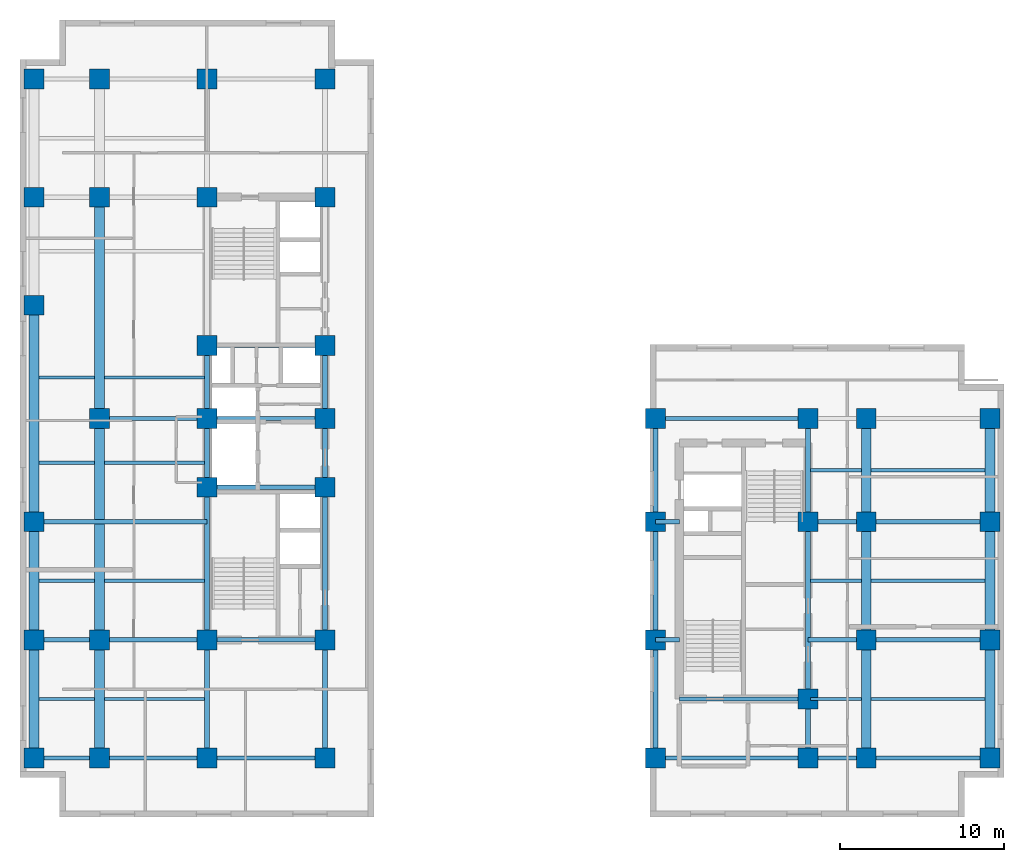
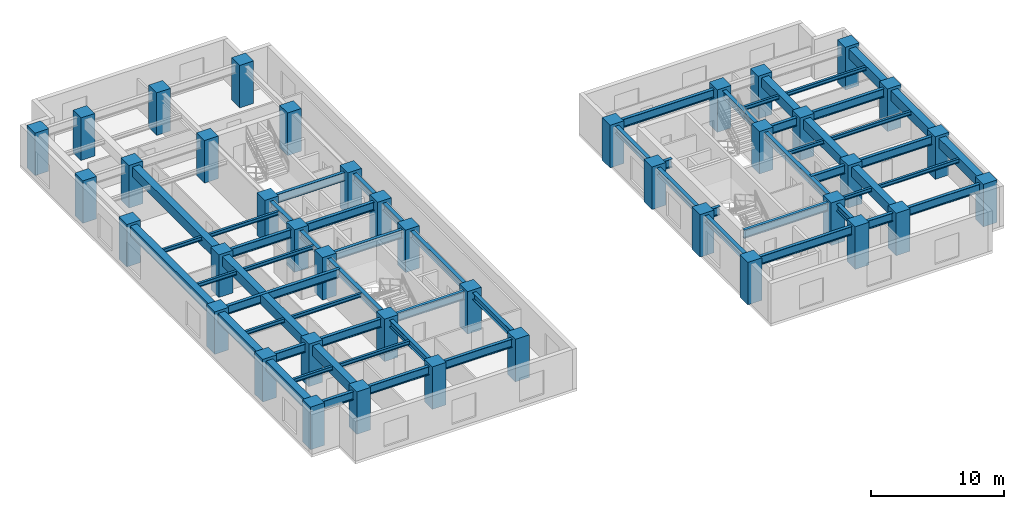
# One storey, part 1 of 9: 62 beams, 41 columns.
"""IFC4 building model written with IfcOpenShell, lengths in metres."""

from ifc_helpers import new_model, entity, si_unit, converted_unit, direction, frame, origin_with_axes, origin_2d_with_axis, place, context, subcontext, project, spatial, rectangle, i_section, extrude, material, material_profile, profile_set, type_object, element, save


model = new_model("IFC4")

# Units and contexts
model_context = context("Model", 3, precision=1e-05, world=origin_with_axes(), true_north=direction((0.0, 1.0)))
body_context = subcontext(model_context, "Body", "Model", "MODEL_VIEW")
ifc_project = project(units=[si_unit("LENGTHUNIT", "METRE"), si_unit("AREAUNIT", "SQUARE_METRE"), si_unit("VOLUMEUNIT", "CUBIC_METRE"), converted_unit("PLANEANGLEUNIT", "DEGREE", entity("IfcPlaneAngleMeasure", 0.017453292519943295), si_unit("PLANEANGLEUNIT", "RADIAN"), dimensions=[0, 0, 0, 0, 0, 0, 0]), si_unit("MASSUNIT", "GRAM", prefix="KILO"), si_unit("THERMODYNAMICTEMPERATUREUNIT", "KELVIN")], contexts=[model_context])

# Site, building, storey
site_placement = place(None, origin_with_axes())
site = spatial("IfcSite", under=ifc_project, at=site_placement, CompositionType="ELEMENT")
building_placement = place(site_placement, origin_with_axes())
building = spatial("IfcBuilding", under=site, at=building_placement, Name="Varnlund Millrace Tower", CompositionType="ELEMENT")
storey_placement = place(building_placement, frame((0.0, 0.0, 96.9), z_axis=(0.0, 0.0, 1.0), x_axis=(1.0, 0.0, 0.0)))
storey = spatial("IfcBuildingStorey", under=building, at=storey_placement, Name="L23", CompositionType="ELEMENT", Elevation=96.9)

# Columns
ifc_material_1 = material(Name="Concrete C80/95", Category="concrete")
ifc_material_profile_1 = material_profile(ifc_material_1, rectangle(XDim=1.2, YDim=1.2, at=origin_2d_with_axis()), Name="Concrete C80/95")
ifc_profile_set_1 = profile_set([ifc_material_profile_1], Name="Concrete C80/95")
column_type = type_object("IfcColumnType", Name="Type-Col-RC1200-C80", PredefinedType="COLUMN", material=ifc_profile_set_1)
for number, where, z_axis, x_axis, name in (
    (1, (11.4, 3.6, 0.0), (0.0, 0.0, 1.0), (1.0, 0.0, 0.0), "Type-Col-RC1200-C80"),
    (2, (11.4, 10.8, 0.0), (0.0, 0.0, 1.0), (1.0, 0.0, 0.0), "Type-Col-RC1200-C80"),
    (3, (11.4, 20.1, 0.0), (0.0, 0.0, 1.0), (1.0, 0.0, 0.0), "Type-Col-RC1200-C80"),
    (4, (11.4, 24.3, 0.0), (0.0, 0.0, 1.0), (1.0, 0.0, 0.0), "Type-Col-RC1200-C80"),
    (5, (11.4, 28.75, 0.0), (0.0, 0.0, 1.0), (1.0, 0.0, 0.0), "Type-Col-RC1200-C80"),
    (6, (11.4, 37.8, 0.0), (0.0, 0.0, 1.0), (1.0, 0.0, 0.0), "Type-Col-RC1200-C80"),
    (7, (11.4, 45.0, 0.0), (0.0, 0.0, 1.0), (1.0, 0.0, 0.0), "Type-Col-RC1200-C80"),
    (8, (18.6, 3.6, 0.0), (0.0, 0.0, 1.0), (1.0, 0.0, 0.0), "Type-Col-RC1200-C80"),
    (9, (18.6, 10.8, 0.0), (0.0, 0.0, 1.0), (1.0, 0.0, 0.0), "Type-Col-RC1200-C80"),
    (10, (18.6, 20.1, 0.0), (0.0, 0.0, 1.0), (1.0, 0.0, 0.0), "Type-Col-RC1200-C80"),
    (11, (18.6, 24.3, 0.0), (0.0, 0.0, 1.0), (1.0, 0.0, 0.0), "Type-Col-RC1200-C80"),
    (12, (18.6, 28.75, 0.0), (0.0, 0.0, 1.0), (1.0, 0.0, 0.0), "Type-Col-RC1200-C80"),
    (13, (18.6, 37.8, 0.0), (0.0, 0.0, 1.0), (1.0, 0.0, 0.0), "Type-Col-RC1200-C80"),
    (14, (18.6, 45.0, 0.0), (0.0, 0.0, 1.0), (1.0, 0.0, 0.0), "Type-Col-RC1200-C80"),
    (15, (4.85, 3.6, 0.0), (0.0, 0.0, 1.0), (1.0, 0.0, 0.0), "Type-Col-RC1200-C80"),
    (16, (4.85, 10.8, 0.0), (0.0, 0.0, 1.0), (1.0, 0.0, 0.0), "Type-Col-RC1200-C80"),
    (17, (4.85, 24.3, 0.0), (0.0, 0.0, 1.0), (1.0, 0.0, 0.0), "Type-Col-RC1200-C80"),
    (18, (4.85, 37.8, 0.0), (0.0, 0.0, 1.0), (1.0, 0.0, 0.0), "Type-Col-RC1200-C80"),
    (19, (4.85, 45.0, 0.0), (0.0, 0.0, 1.0), (1.0, 0.0, 0.0), "Type-Col-RC1200-C80"),
    (20, (0.85, 3.6, 0.0), (0.0, 0.0, 1.0), (1.0, 0.0, 0.0), "Type-Col-RC1200-C80"),
    (21, (0.85, 10.8, 0.0), (0.0, 0.0, 1.0), (1.0, 0.0, 0.0), "Type-Col-RC1200-C80"),
    (22, (0.85, 18.0, 0.0), (0.0, 0.0, 1.0), (1.0, 0.0, 0.0), "Type-Col-RC1200-C80"),
    (23, (0.85, 31.2, 0.0), (0.0, 0.0, 1.0), (1.0, 0.0, 0.0), "Type-Col-RC1200-C80"),
    (24, (0.85, 37.8, 0.0), (0.0, 0.0, 1.0), (1.0, 0.0, 0.0), "Type-Col-RC1200-C80"),
    (25, (0.85, 45.0, 0.0), (0.0, 0.0, 1.0), (1.0, 0.0, 0.0), "Type-Col-RC1200-C80"),
    (26, (38.75, 3.6, 0.0), (0.0, 0.0, 1.0), (1.0, 0.0, 0.0), "Type-Col-RC1200-C80"),
    (27, (38.75, 10.8, 0.0), (0.0, 0.0, 1.0), (1.0, 0.0, 0.0), "Type-Col-RC1200-C80"),
    (28, (38.75, 18.0, 0.0), (0.0, 0.0, 1.0), (1.0, 0.0, 0.0), "Type-Col-RC1200-C80"),
    (29, (38.75, 24.3, 0.0), (0.0, 0.0, 1.0), (1.0, 0.0, 0.0), "Type-Col-RC1200-C80"),
    (30, (48.05, 3.6, 0.0), (0.0, 0.0, 1.0), (1.0, 0.0, 0.0), "Type-Col-RC1200-C80"),
    (31, (48.05, 7.2, 0.0), (0.0, 0.0, 1.0), (1.0, 0.0, 0.0), "Type-Col-RC1200-C80"),
    (32, (48.05, 18.0, 0.0), (0.0, 0.0, 1.0), (1.0, 0.0, 0.0), "Type-Col-RC1200-C80"),
    (33, (48.05, 24.3, 0.0), (0.0, 0.0, 1.0), (1.0, 0.0, 0.0), "Type-Col-RC1200-C80"),
    (34, (51.6, 3.6, 0.0), (0.0, 0.0, 1.0), (1.0, 0.0, 0.0), "Type-Col-RC1200-C80"),
    (35, (51.6, 10.8, 0.0), (0.0, 0.0, 1.0), (1.0, 0.0, 0.0), "Type-Col-RC1200-C80"),
    (36, (51.6, 18.0, 0.0), (0.0, 0.0, 1.0), (1.0, 0.0, 0.0), "Type-Col-RC1200-C80"),
    (37, (51.6, 24.3, 0.0), (0.0, 0.0, 1.0), (1.0, 0.0, 0.0), "Type-Col-RC1200-C80"),
    (38, (59.15, 3.6, 0.0), (0.0, 0.0, 1.0), (1.0, 0.0, 0.0), "Type-Col-RC1200-C80"),
    (39, (59.15, 10.8, 0.0), (0.0, 0.0, 1.0), (1.0, 0.0, 0.0), "Type-Col-RC1200-C80"),
    (40, (59.15, 18.0, 0.0), (0.0, 0.0, 1.0), (1.0, 0.0, 0.0), "Type-Col-RC1200-C80"),
    (41, (59.15, 24.3, 0.0), (0.0, 0.0, 1.0), (1.0, 0.0, 0.0), "Type-Col-RC1200-C80"),
):
    element("IfcColumn", number, at=place(storey_placement, frame(where, z_axis=z_axis, x_axis=x_axis)), inside=storey, type_object=column_type, Name=name, PredefinedType="COLUMN", context=body_context, shape_type="SweptSolid", body=[
        extrude(rectangle(XDim=1.2, YDim=1.2, at=origin_2d_with_axis()), origin_with_axes(), (0.0, 0.0, 1.0), 3.9),
    ])

# Beams
ifc_material_2 = material(Name="Steel ASTM A992 Grade 50", Category="steel")
ifc_material_profile_2 = material_profile(ifc_material_2, i_section(OverallWidth=0.328, OverallDepth=0.628, WebThickness=0.0165, FlangeThickness=0.0277, FilletRadius=0.018, at=origin_2d_with_axis()), Name="Steel ASTM A992 Grade 50")
ifc_profile_set_2 = profile_set([ifc_material_profile_2], Name="Steel ASTM A992 Grade 50")
beam_type_1 = type_object("IfcBeamType", Name="Type-Girder-W24X146", PredefinedType="USERDEFINED", material=ifc_profile_set_2)
beam_1_placement = place(storey_placement, frame((11.4, 3.6, 3.346), z_axis=(0.0, 1.0, 0.0), x_axis=(-1.0, 0.0, 0.0)))
element("IfcBeam", 42, at=beam_1_placement, inside=storey, type_object=beam_type_1, Name="Type-Girder-W24X146", ObjectType="GIRDER", PredefinedType="USERDEFINED", context=body_context, shape_type="SweptSolid", body=[
    extrude(i_section(OverallWidth=0.328, OverallDepth=0.628, WebThickness=0.0165, FlangeThickness=0.0277, FilletRadius=0.018, at=origin_2d_with_axis()), origin_with_axes(), (0.0, 0.0, 1.0), 7.2),
])
beam_2_placement = place(storey_placement, frame((11.4, 10.8, 3.346), z_axis=(0.0, 1.0, 0.0), x_axis=(-1.0, 0.0, 0.0)))
element("IfcBeam", 43, at=beam_2_placement, inside=storey, type_object=beam_type_1, Name="Type-Girder-W24X146", ObjectType="GIRDER", PredefinedType="USERDEFINED", context=body_context, shape_type="SweptSolid", body=[
    extrude(i_section(OverallWidth=0.328, OverallDepth=0.628, WebThickness=0.0165, FlangeThickness=0.0277, FilletRadius=0.018, at=origin_2d_with_axis()), origin_with_axes(), (0.0, 0.0, 1.0), 9.3),
])
beam_3_placement = place(storey_placement, frame((11.4, 20.1, 3.346), z_axis=(0.0, 1.0, 0.0), x_axis=(-1.0, 0.0, 0.0)))
element("IfcBeam", 44, at=beam_3_placement, inside=storey, type_object=beam_type_1, Name="Type-Girder-W24X146", ObjectType="GIRDER", PredefinedType="USERDEFINED", context=body_context, shape_type="SweptSolid", body=[
    extrude(i_section(OverallWidth=0.328, OverallDepth=0.628, WebThickness=0.0165, FlangeThickness=0.0277, FilletRadius=0.018, at=origin_2d_with_axis()), origin_with_axes(), (0.0, 0.0, 1.0), 4.2),
])
beam_4_placement = place(storey_placement, frame((11.4, 24.3, 3.346), z_axis=(0.0, 1.0, 0.0), x_axis=(-1.0, 0.0, 0.0)))
element("IfcBeam", 45, at=beam_4_placement, inside=storey, type_object=beam_type_1, Name="Type-Girder-W24X146", ObjectType="GIRDER", PredefinedType="USERDEFINED", context=body_context, shape_type="SweptSolid", body=[
    extrude(i_section(OverallWidth=0.328, OverallDepth=0.628, WebThickness=0.0165, FlangeThickness=0.0277, FilletRadius=0.018, at=origin_2d_with_axis()), origin_with_axes(), (0.0, 0.0, 1.0), 4.45),
])
beam_5_placement = place(storey_placement, frame((18.6, 3.6, 3.346), z_axis=(0.0, 1.0, 0.0), x_axis=(-1.0, 0.0, 0.0)))
element("IfcBeam", 46, at=beam_5_placement, inside=storey, type_object=beam_type_1, Name="Type-Girder-W24X146", ObjectType="GIRDER", PredefinedType="USERDEFINED", context=body_context, shape_type="SweptSolid", body=[
    extrude(i_section(OverallWidth=0.328, OverallDepth=0.628, WebThickness=0.0165, FlangeThickness=0.0277, FilletRadius=0.018, at=origin_2d_with_axis()), origin_with_axes(), (0.0, 0.0, 1.0), 7.2),
])
beam_6_placement = place(storey_placement, frame((18.6, 10.8, 3.346), z_axis=(0.0, 1.0, 0.0), x_axis=(-1.0, 0.0, 0.0)))
element("IfcBeam", 47, at=beam_6_placement, inside=storey, type_object=beam_type_1, Name="Type-Girder-W24X146", ObjectType="GIRDER", PredefinedType="USERDEFINED", context=body_context, shape_type="SweptSolid", body=[
    extrude(i_section(OverallWidth=0.328, OverallDepth=0.628, WebThickness=0.0165, FlangeThickness=0.0277, FilletRadius=0.018, at=origin_2d_with_axis()), origin_with_axes(), (0.0, 0.0, 1.0), 9.3),
])
beam_7_placement = place(storey_placement, frame((18.6, 20.1, 3.346), z_axis=(0.0, 1.0, 0.0), x_axis=(-1.0, 0.0, 0.0)))
element("IfcBeam", 48, at=beam_7_placement, inside=storey, type_object=beam_type_1, Name="Type-Girder-W24X146", ObjectType="GIRDER", PredefinedType="USERDEFINED", context=body_context, shape_type="SweptSolid", body=[
    extrude(i_section(OverallWidth=0.328, OverallDepth=0.628, WebThickness=0.0165, FlangeThickness=0.0277, FilletRadius=0.018, at=origin_2d_with_axis()), origin_with_axes(), (0.0, 0.0, 1.0), 4.2),
])
beam_8_placement = place(storey_placement, frame((18.6, 24.3, 3.346), z_axis=(0.0, 1.0, 0.0), x_axis=(-1.0, 0.0, 0.0)))
element("IfcBeam", 49, at=beam_8_placement, inside=storey, type_object=beam_type_1, Name="Type-Girder-W24X146", ObjectType="GIRDER", PredefinedType="USERDEFINED", context=body_context, shape_type="SweptSolid", body=[
    extrude(i_section(OverallWidth=0.328, OverallDepth=0.628, WebThickness=0.0165, FlangeThickness=0.0277, FilletRadius=0.018, at=origin_2d_with_axis()), origin_with_axes(), (0.0, 0.0, 1.0), 4.45),
])
for number, where, z_axis, x_axis, name in (
    (50, (38.75, 3.6, 3.346), (0.0, 1.0, 0.0), (-1.0, 0.0, 0.0), "Type-Girder-W24X146"),
    (51, (38.75, 10.8, 3.346), (0.0, 1.0, 0.0), (-1.0, 0.0, 0.0), "Type-Girder-W24X146"),
):
    element("IfcBeam", number, at=place(storey_placement, frame(where, z_axis=z_axis, x_axis=x_axis)), inside=storey, type_object=beam_type_1, Name=name, ObjectType="GIRDER", PredefinedType="USERDEFINED", context=body_context, shape_type="SweptSolid", body=[
        extrude(i_section(OverallWidth=0.328, OverallDepth=0.628, WebThickness=0.0165, FlangeThickness=0.0277, FilletRadius=0.018, at=origin_2d_with_axis()), origin_with_axes(), (0.0, 0.0, 1.0), 7.2),
    ])
beam_9_placement = place(storey_placement, frame((38.75, 18.0, 3.346), z_axis=(0.0, 1.0, 0.0), x_axis=(-1.0, 0.0, 0.0)))
element("IfcBeam", 52, at=beam_9_placement, inside=storey, type_object=beam_type_1, Name="Type-Girder-W24X146", ObjectType="GIRDER", PredefinedType="USERDEFINED", context=body_context, shape_type="SweptSolid", body=[
    extrude(i_section(OverallWidth=0.328, OverallDepth=0.628, WebThickness=0.0165, FlangeThickness=0.0277, FilletRadius=0.018, at=origin_2d_with_axis()), origin_with_axes(), (0.0, 0.0, 1.0), 6.3),
])
beam_10_placement = place(storey_placement, frame((48.05, 3.6, 3.346), z_axis=(0.0, 1.0, 0.0), x_axis=(-1.0, 0.0, 0.0)))
element("IfcBeam", 53, at=beam_10_placement, inside=storey, type_object=beam_type_1, Name="Type-Girder-W24X146", ObjectType="GIRDER", PredefinedType="USERDEFINED", context=body_context, shape_type="SweptSolid", body=[
    extrude(i_section(OverallWidth=0.328, OverallDepth=0.628, WebThickness=0.0165, FlangeThickness=0.0277, FilletRadius=0.018, at=origin_2d_with_axis()), origin_with_axes(), (0.0, 0.0, 1.0), 3.6),
])
beam_11_placement = place(storey_placement, frame((48.05, 7.2, 3.346), z_axis=(0.0, 1.0, 0.0), x_axis=(-1.0, 0.0, 0.0)))
element("IfcBeam", 54, at=beam_11_placement, inside=storey, type_object=beam_type_1, Name="Type-Girder-W24X146", ObjectType="GIRDER", PredefinedType="USERDEFINED", context=body_context, shape_type="SweptSolid", body=[
    extrude(i_section(OverallWidth=0.328, OverallDepth=0.628, WebThickness=0.0165, FlangeThickness=0.0277, FilletRadius=0.018, at=origin_2d_with_axis()), origin_with_axes(), (0.0, 0.0, 1.0), 10.8),
])
beam_12_placement = place(storey_placement, frame((48.05, 18.0, 3.346), z_axis=(0.0, 1.0, 0.0), x_axis=(-1.0, 0.0, 0.0)))
element("IfcBeam", 55, at=beam_12_placement, inside=storey, type_object=beam_type_1, Name="Type-Girder-W24X146", ObjectType="GIRDER", PredefinedType="USERDEFINED", context=body_context, shape_type="SweptSolid", body=[
    extrude(i_section(OverallWidth=0.328, OverallDepth=0.628, WebThickness=0.0165, FlangeThickness=0.0277, FilletRadius=0.018, at=origin_2d_with_axis()), origin_with_axes(), (0.0, 0.0, 1.0), 6.3),
])
ifc_material_profile_3 = material_profile(ifc_material_2, i_section(OverallWidth=0.266, OverallDepth=0.779, WebThickness=0.0165, FlangeThickness=0.03, FilletRadius=0.02, at=origin_2d_with_axis()), Name="Steel ASTM A992 Grade 50")
ifc_profile_set_3 = profile_set([ifc_material_profile_3], Name="Steel ASTM A992 Grade 50")
beam_type_2 = type_object("IfcBeamType", Name="Type-Girder-W30X148", PredefinedType="USERDEFINED", material=ifc_profile_set_3)
beam_13_placement = place(storey_placement, frame((0.85, 3.6, 3.2705), z_axis=(1.0, 0.0, 0.0), x_axis=(0.0, 1.0, 0.0)))
element("IfcBeam", 56, at=beam_13_placement, inside=storey, type_object=beam_type_2, Name="Type-Girder-W30X148", ObjectType="GIRDER", PredefinedType="USERDEFINED", context=body_context, shape_type="SweptSolid", body=[
    extrude(i_section(OverallWidth=0.266, OverallDepth=0.779, WebThickness=0.0165, FlangeThickness=0.03, FilletRadius=0.02, at=origin_2d_with_axis()), origin_with_axes(), (0.0, 0.0, 1.0), 4.0),
])
beam_14_placement = place(storey_placement, frame((4.85, 3.6, 3.2705), z_axis=(1.0, 0.0, 0.0), x_axis=(0.0, 1.0, 0.0)))
element("IfcBeam", 57, at=beam_14_placement, inside=storey, type_object=beam_type_2, Name="Type-Girder-W30X148", ObjectType="GIRDER", PredefinedType="USERDEFINED", context=body_context, shape_type="SweptSolid", body=[
    extrude(i_section(OverallWidth=0.266, OverallDepth=0.779, WebThickness=0.0165, FlangeThickness=0.03, FilletRadius=0.02, at=origin_2d_with_axis()), origin_with_axes(), (0.0, 0.0, 1.0), 6.55),
])
beam_15_placement = place(storey_placement, frame((11.4, 3.6, 3.2705), z_axis=(1.0, 0.0, 0.0), x_axis=(0.0, 1.0, 0.0)))
element("IfcBeam", 58, at=beam_15_placement, inside=storey, type_object=beam_type_2, Name="Type-Girder-W30X148", ObjectType="GIRDER", PredefinedType="USERDEFINED", context=body_context, shape_type="SweptSolid", body=[
    extrude(i_section(OverallWidth=0.266, OverallDepth=0.779, WebThickness=0.0165, FlangeThickness=0.03, FilletRadius=0.02, at=origin_2d_with_axis()), origin_with_axes(), (0.0, 0.0, 1.0), 7.2),
])
beam_16_placement = place(storey_placement, frame((38.75, 3.6, 3.2705), z_axis=(1.0, 0.0, 0.0), x_axis=(0.0, 1.0, 0.0)))
element("IfcBeam", 59, at=beam_16_placement, inside=storey, type_object=beam_type_2, Name="Type-Girder-W30X148", ObjectType="GIRDER", PredefinedType="USERDEFINED", context=body_context, shape_type="SweptSolid", body=[
    extrude(i_section(OverallWidth=0.266, OverallDepth=0.779, WebThickness=0.0165, FlangeThickness=0.03, FilletRadius=0.02, at=origin_2d_with_axis()), origin_with_axes(), (0.0, 0.0, 1.0), 9.3),
])
beam_17_placement = place(storey_placement, frame((48.05, 3.6, 3.2705), z_axis=(1.0, 0.0, 0.0), x_axis=(0.0, 1.0, 0.0)))
element("IfcBeam", 60, at=beam_17_placement, inside=storey, type_object=beam_type_2, Name="Type-Girder-W30X148", ObjectType="GIRDER", PredefinedType="USERDEFINED", context=body_context, shape_type="SweptSolid", body=[
    extrude(i_section(OverallWidth=0.266, OverallDepth=0.779, WebThickness=0.0165, FlangeThickness=0.03, FilletRadius=0.02, at=origin_2d_with_axis()), origin_with_axes(), (0.0, 0.0, 1.0), 3.55),
])
beam_18_placement = place(storey_placement, frame((51.6, 3.6, 3.2705), z_axis=(1.0, 0.0, 0.0), x_axis=(0.0, 1.0, 0.0)))
element("IfcBeam", 61, at=beam_18_placement, inside=storey, type_object=beam_type_2, Name="Type-Girder-W30X148", ObjectType="GIRDER", PredefinedType="USERDEFINED", context=body_context, shape_type="SweptSolid", body=[
    extrude(i_section(OverallWidth=0.266, OverallDepth=0.779, WebThickness=0.0165, FlangeThickness=0.03, FilletRadius=0.02, at=origin_2d_with_axis()), origin_with_axes(), (0.0, 0.0, 1.0), 7.55),
])
beam_19_placement = place(storey_placement, frame((40.2, 7.2, 3.2705), z_axis=(1.0, 0.0, 0.0), x_axis=(0.0, 1.0, 0.0)))
element("IfcBeam", 62, at=beam_19_placement, inside=storey, type_object=beam_type_2, Name="Type-Girder-W30X148", ObjectType="GIRDER", PredefinedType="USERDEFINED", context=body_context, shape_type="SweptSolid", body=[
    extrude(i_section(OverallWidth=0.266, OverallDepth=0.779, WebThickness=0.0165, FlangeThickness=0.03, FilletRadius=0.02, at=origin_2d_with_axis()), origin_with_axes(), (0.0, 0.0, 1.0), 7.85),
])
beam_20_placement = place(storey_placement, frame((0.85, 10.8, 3.2705), z_axis=(1.0, 0.0, 0.0), x_axis=(0.0, 1.0, 0.0)))
element("IfcBeam", 63, at=beam_20_placement, inside=storey, type_object=beam_type_2, Name="Type-Girder-W30X148", ObjectType="GIRDER", PredefinedType="USERDEFINED", context=body_context, shape_type="SweptSolid", body=[
    extrude(i_section(OverallWidth=0.266, OverallDepth=0.779, WebThickness=0.0165, FlangeThickness=0.03, FilletRadius=0.02, at=origin_2d_with_axis()), origin_with_axes(), (0.0, 0.0, 1.0), 4.0),
])
beam_21_placement = place(storey_placement, frame((4.85, 10.8, 3.2705), z_axis=(1.0, 0.0, 0.0), x_axis=(0.0, 1.0, 0.0)))
element("IfcBeam", 64, at=beam_21_placement, inside=storey, type_object=beam_type_2, Name="Type-Girder-W30X148", ObjectType="GIRDER", PredefinedType="USERDEFINED", context=body_context, shape_type="SweptSolid", body=[
    extrude(i_section(OverallWidth=0.266, OverallDepth=0.779, WebThickness=0.0165, FlangeThickness=0.03, FilletRadius=0.02, at=origin_2d_with_axis()), origin_with_axes(), (0.0, 0.0, 1.0), 6.55),
])
beam_22_placement = place(storey_placement, frame((11.4, 10.8, 3.2705), z_axis=(1.0, 0.0, 0.0), x_axis=(0.0, 1.0, 0.0)))
element("IfcBeam", 65, at=beam_22_placement, inside=storey, type_object=beam_type_2, Name="Type-Girder-W30X148", ObjectType="GIRDER", PredefinedType="USERDEFINED", context=body_context, shape_type="SweptSolid", body=[
    extrude(i_section(OverallWidth=0.266, OverallDepth=0.779, WebThickness=0.0165, FlangeThickness=0.03, FilletRadius=0.02, at=origin_2d_with_axis()), origin_with_axes(), (0.0, 0.0, 1.0), 7.2),
])
beam_23_placement = place(storey_placement, frame((38.75, 10.8, 3.2705), z_axis=(1.0, 0.0, 0.0), x_axis=(0.0, 1.0, 0.0)))
element("IfcBeam", 66, at=beam_23_placement, inside=storey, type_object=beam_type_2, Name="Type-Girder-W30X148", ObjectType="GIRDER", PredefinedType="USERDEFINED", context=body_context, shape_type="SweptSolid", body=[
    extrude(i_section(OverallWidth=0.266, OverallDepth=0.779, WebThickness=0.0165, FlangeThickness=0.03, FilletRadius=0.02, at=origin_2d_with_axis()), origin_with_axes(), (0.0, 0.0, 1.0), 1.45),
])
beam_24_placement = place(storey_placement, frame((48.05, 10.8, 3.2705), z_axis=(1.0, 0.0, 0.0), x_axis=(0.0, 1.0, 0.0)))
element("IfcBeam", 67, at=beam_24_placement, inside=storey, type_object=beam_type_2, Name="Type-Girder-W30X148", ObjectType="GIRDER", PredefinedType="USERDEFINED", context=body_context, shape_type="SweptSolid", body=[
    extrude(i_section(OverallWidth=0.266, OverallDepth=0.779, WebThickness=0.0165, FlangeThickness=0.03, FilletRadius=0.02, at=origin_2d_with_axis()), origin_with_axes(), (0.0, 0.0, 1.0), 3.55),
])
beam_25_placement = place(storey_placement, frame((51.6, 10.8, 3.2705), z_axis=(1.0, 0.0, 0.0), x_axis=(0.0, 1.0, 0.0)))
element("IfcBeam", 68, at=beam_25_placement, inside=storey, type_object=beam_type_2, Name="Type-Girder-W30X148", ObjectType="GIRDER", PredefinedType="USERDEFINED", context=body_context, shape_type="SweptSolid", body=[
    extrude(i_section(OverallWidth=0.266, OverallDepth=0.779, WebThickness=0.0165, FlangeThickness=0.03, FilletRadius=0.02, at=origin_2d_with_axis()), origin_with_axes(), (0.0, 0.0, 1.0), 7.55),
])
beam_26_placement = place(storey_placement, frame((0.85, 18.0, 3.2705), z_axis=(1.0, 0.0, 0.0), x_axis=(0.0, 1.0, 0.0)))
element("IfcBeam", 69, at=beam_26_placement, inside=storey, type_object=beam_type_2, Name="Type-Girder-W30X148", ObjectType="GIRDER", PredefinedType="USERDEFINED", context=body_context, shape_type="SweptSolid", body=[
    extrude(i_section(OverallWidth=0.266, OverallDepth=0.779, WebThickness=0.0165, FlangeThickness=0.03, FilletRadius=0.02, at=origin_2d_with_axis()), origin_with_axes(), (0.0, 0.0, 1.0), 10.55),
])
beam_27_placement = place(storey_placement, frame((38.75, 18.0, 3.2705), z_axis=(1.0, 0.0, 0.0), x_axis=(0.0, 1.0, 0.0)))
element("IfcBeam", 70, at=beam_27_placement, inside=storey, type_object=beam_type_2, Name="Type-Girder-W30X148", ObjectType="GIRDER", PredefinedType="USERDEFINED", context=body_context, shape_type="SweptSolid", body=[
    extrude(i_section(OverallWidth=0.266, OverallDepth=0.779, WebThickness=0.0165, FlangeThickness=0.03, FilletRadius=0.02, at=origin_2d_with_axis()), origin_with_axes(), (0.0, 0.0, 1.0), 1.45),
])
beam_28_placement = place(storey_placement, frame((48.05, 18.0, 3.2705), z_axis=(1.0, 0.0, 0.0), x_axis=(0.0, 1.0, 0.0)))
element("IfcBeam", 71, at=beam_28_placement, inside=storey, type_object=beam_type_2, Name="Type-Girder-W30X148", ObjectType="GIRDER", PredefinedType="USERDEFINED", context=body_context, shape_type="SweptSolid", body=[
    extrude(i_section(OverallWidth=0.266, OverallDepth=0.779, WebThickness=0.0165, FlangeThickness=0.03, FilletRadius=0.02, at=origin_2d_with_axis()), origin_with_axes(), (0.0, 0.0, 1.0), 3.55),
])
beam_29_placement = place(storey_placement, frame((51.6, 18.0, 3.2705), z_axis=(1.0, 0.0, 0.0), x_axis=(0.0, 1.0, 0.0)))
element("IfcBeam", 72, at=beam_29_placement, inside=storey, type_object=beam_type_2, Name="Type-Girder-W30X148", ObjectType="GIRDER", PredefinedType="USERDEFINED", context=body_context, shape_type="SweptSolid", body=[
    extrude(i_section(OverallWidth=0.266, OverallDepth=0.779, WebThickness=0.0165, FlangeThickness=0.03, FilletRadius=0.02, at=origin_2d_with_axis()), origin_with_axes(), (0.0, 0.0, 1.0), 7.55),
])
beam_30_placement = place(storey_placement, frame((11.4, 20.1, 3.2705), z_axis=(1.0, 0.0, 0.0), x_axis=(0.0, 1.0, 0.0)))
element("IfcBeam", 73, at=beam_30_placement, inside=storey, type_object=beam_type_2, Name="Type-Girder-W30X148", ObjectType="GIRDER", PredefinedType="USERDEFINED", context=body_context, shape_type="SweptSolid", body=[
    extrude(i_section(OverallWidth=0.266, OverallDepth=0.779, WebThickness=0.0165, FlangeThickness=0.03, FilletRadius=0.02, at=origin_2d_with_axis()), origin_with_axes(), (0.0, 0.0, 1.0), 7.2),
])
beam_31_placement = place(storey_placement, frame((4.85, 24.3, 3.2705), z_axis=(1.0, 0.0, 0.0), x_axis=(0.0, 1.0, 0.0)))
element("IfcBeam", 74, at=beam_31_placement, inside=storey, type_object=beam_type_2, Name="Type-Girder-W30X148", ObjectType="GIRDER", PredefinedType="USERDEFINED", context=body_context, shape_type="SweptSolid", body=[
    extrude(i_section(OverallWidth=0.266, OverallDepth=0.779, WebThickness=0.0165, FlangeThickness=0.03, FilletRadius=0.02, at=origin_2d_with_axis()), origin_with_axes(), (0.0, 0.0, 1.0), 6.55),
])
beam_32_placement = place(storey_placement, frame((11.4, 24.3, 3.2705), z_axis=(1.0, 0.0, 0.0), x_axis=(0.0, 1.0, 0.0)))
element("IfcBeam", 75, at=beam_32_placement, inside=storey, type_object=beam_type_2, Name="Type-Girder-W30X148", ObjectType="GIRDER", PredefinedType="USERDEFINED", context=body_context, shape_type="SweptSolid", body=[
    extrude(i_section(OverallWidth=0.266, OverallDepth=0.779, WebThickness=0.0165, FlangeThickness=0.03, FilletRadius=0.02, at=origin_2d_with_axis()), origin_with_axes(), (0.0, 0.0, 1.0), 7.2),
])
beam_33_placement = place(storey_placement, frame((38.75, 24.3, 3.2705), z_axis=(1.0, 0.0, 0.0), x_axis=(0.0, 1.0, 0.0)))
element("IfcBeam", 76, at=beam_33_placement, inside=storey, type_object=beam_type_2, Name="Type-Girder-W30X148", ObjectType="GIRDER", PredefinedType="USERDEFINED", context=body_context, shape_type="SweptSolid", body=[
    extrude(i_section(OverallWidth=0.266, OverallDepth=0.779, WebThickness=0.0165, FlangeThickness=0.03, FilletRadius=0.02, at=origin_2d_with_axis()), origin_with_axes(), (0.0, 0.0, 1.0), 9.3),
])
beam_34_placement = place(storey_placement, frame((11.4, 28.75, 3.2705), z_axis=(1.0, 0.0, 0.0), x_axis=(0.0, 1.0, 0.0)))
element("IfcBeam", 77, at=beam_34_placement, inside=storey, type_object=beam_type_2, Name="Type-Girder-W30X148", ObjectType="GIRDER", PredefinedType="USERDEFINED", context=body_context, shape_type="SweptSolid", body=[
    extrude(i_section(OverallWidth=0.266, OverallDepth=0.779, WebThickness=0.0165, FlangeThickness=0.03, FilletRadius=0.02, at=origin_2d_with_axis()), origin_with_axes(), (0.0, 0.0, 1.0), 7.2),
])
ifc_material_profile_4 = material_profile(ifc_material_2, i_section(OverallWidth=0.204, OverallDepth=0.35, WebThickness=0.0086, FlangeThickness=0.0151, FilletRadius=0.013, at=origin_2d_with_axis()), Name="Steel ASTM A992 Grade 50")
ifc_profile_set_4 = profile_set([ifc_material_profile_4], Name="Steel ASTM A992 Grade 50")
beam_type_3 = type_object("IfcBeamType", Name="Type-Joist-W14X48", PredefinedType="JOIST", material=ifc_profile_set_4)
for number, where, z_axis, x_axis, name in (
    (78, (1.15, 7.2, 3.485), (1.0, 0.0, 0.0), (0.0, 1.0, 0.0), "Type-Joist-W14X48"),
    (79, (1.15, 14.4, 3.485), (1.0, 0.0, 0.0), (0.0, 1.0, 0.0), "Type-Joist-W14X48"),
    (80, (1.15, 21.6, 3.485), (1.0, 0.0, 0.0), (0.0, 1.0, 0.0), "Type-Joist-W14X48"),
    (81, (1.15, 26.8, 3.485), (1.0, 0.0, 0.0), (0.0, 1.0, 0.0), "Type-Joist-W14X48"),
):
    element("IfcBeam", number, at=place(storey_placement, frame(where, z_axis=z_axis, x_axis=x_axis)), inside=storey, type_object=beam_type_3, Name=name, PredefinedType="JOIST", context=body_context, shape_type="SweptSolid", body=[
        extrude(i_section(OverallWidth=0.204, OverallDepth=0.35, WebThickness=0.0086, FlangeThickness=0.0151, FilletRadius=0.013, at=origin_2d_with_axis()), origin_with_axes(), (0.0, 0.0, 1.0), 3.4),
    ])
for number, where, z_axis, x_axis, name in (
    (82, (5.15, 7.2, 3.485), (1.0, 0.0, 0.0), (0.0, 1.0, 0.0), "Type-Joist-W14X48"),
    (83, (5.15, 14.4, 3.485), (1.0, 0.0, 0.0), (0.0, 1.0, 0.0), "Type-Joist-W14X48"),
    (84, (5.15, 21.6, 3.485), (1.0, 0.0, 0.0), (0.0, 1.0, 0.0), "Type-Joist-W14X48"),
    (85, (5.15, 26.8, 3.485), (1.0, 0.0, 0.0), (0.0, 1.0, 0.0), "Type-Joist-W14X48"),
):
    element("IfcBeam", number, at=place(storey_placement, frame(where, z_axis=z_axis, x_axis=x_axis)), inside=storey, type_object=beam_type_3, Name=name, PredefinedType="JOIST", context=body_context, shape_type="SweptSolid", body=[
        extrude(i_section(OverallWidth=0.204, OverallDepth=0.35, WebThickness=0.0086, FlangeThickness=0.0151, FilletRadius=0.013, at=origin_2d_with_axis()), origin_with_axes(), (0.0, 0.0, 1.0), 6.086),
    ])
for number, where, z_axis, x_axis, name in (
    (86, (48.214, 7.2, 3.485), (1.0, 0.0, 0.0), (0.0, 1.0, 0.0), "Type-Joist-W14X48"),
    (87, (48.214, 14.4, 3.485), (1.0, 0.0, 0.0), (0.0, 1.0, 0.0), "Type-Joist-W14X48"),
    (88, (48.214, 21.15, 3.485), (1.0, 0.0, 0.0), (0.0, 1.0, 0.0), "Type-Joist-W14X48"),
):
    element("IfcBeam", number, at=place(storey_placement, frame(where, z_axis=z_axis, x_axis=x_axis)), inside=storey, type_object=beam_type_3, Name=name, PredefinedType="JOIST", context=body_context, shape_type="SweptSolid", body=[
        extrude(i_section(OverallWidth=0.204, OverallDepth=0.35, WebThickness=0.0086, FlangeThickness=0.0151, FilletRadius=0.013, at=origin_2d_with_axis()), origin_with_axes(), (0.0, 0.0, 1.0), 3.086),
    ])
for number, where, z_axis, x_axis, name in (
    (89, (51.9, 7.2, 3.485), (1.0, 0.0, 0.0), (0.0, 1.0, 0.0), "Type-Joist-W14X48"),
    (90, (51.9, 14.4, 3.485), (1.0, 0.0, 0.0), (0.0, 1.0, 0.0), "Type-Joist-W14X48"),
    (91, (51.9, 21.15, 3.485), (1.0, 0.0, 0.0), (0.0, 1.0, 0.0), "Type-Joist-W14X48"),
):
    element("IfcBeam", number, at=place(storey_placement, frame(where, z_axis=z_axis, x_axis=x_axis)), inside=storey, type_object=beam_type_3, Name=name, PredefinedType="JOIST", context=body_context, shape_type="SweptSolid", body=[
        extrude(i_section(OverallWidth=0.204, OverallDepth=0.35, WebThickness=0.0086, FlangeThickness=0.0151, FilletRadius=0.013, at=origin_2d_with_axis()), origin_with_axes(), (0.0, 0.0, 1.0), 6.95),
    ])
ifc_material_3 = material(Name="Concrete C70/85", Category="concrete")
ifc_material_profile_5 = material_profile(ifc_material_3, rectangle(XDim=0.6, YDim=0.9, at=origin_2d_with_axis()), Name="Concrete C70/85")
ifc_profile_set_5 = profile_set([ifc_material_profile_5], Name="Concrete C70/85")
beam_type_4 = type_object("IfcBeamType", Name="Type-Spandrel-RC600X900", PredefinedType="SPANDREL", material=ifc_profile_set_5)
for number, where, z_axis, x_axis, name in (
    (92, (0.85, 3.6, 3.21), (0.0, 1.0, 0.0), (-1.0, 0.0, 0.0), "Type-Spandrel-RC600X900"),
    (93, (0.85, 10.8, 3.21), (0.0, 1.0, 0.0), (-1.0, 0.0, 0.0), "Type-Spandrel-RC600X900"),
):
    element("IfcBeam", number, at=place(storey_placement, frame(where, z_axis=z_axis, x_axis=x_axis)), inside=storey, type_object=beam_type_4, Name=name, PredefinedType="SPANDREL", context=body_context, shape_type="SweptSolid", body=[
        extrude(rectangle(XDim=0.6, YDim=0.9, at=origin_2d_with_axis()), origin_with_axes(), (0.0, 0.0, 1.0), 7.2),
    ])
beam_35_placement = place(storey_placement, frame((0.85, 18.0, 3.21), z_axis=(0.0, 1.0, 0.0), x_axis=(-1.0, 0.0, 0.0)))
element("IfcBeam", 94, at=beam_35_placement, inside=storey, type_object=beam_type_4, Name="Type-Spandrel-RC600X900", PredefinedType="SPANDREL", context=body_context, shape_type="SweptSolid", body=[
    extrude(rectangle(XDim=0.6, YDim=0.9, at=origin_2d_with_axis()), origin_with_axes(), (0.0, 0.0, 1.0), 13.2),
])
beam_36_placement = place(storey_placement, frame((4.85, 3.6, 3.21), z_axis=(0.0, 1.0, 0.0), x_axis=(-1.0, 0.0, 0.0)))
element("IfcBeam", 95, at=beam_36_placement, inside=storey, type_object=beam_type_4, Name="Type-Spandrel-RC600X900", PredefinedType="SPANDREL", context=body_context, shape_type="SweptSolid", body=[
    extrude(rectangle(XDim=0.6, YDim=0.9, at=origin_2d_with_axis()), origin_with_axes(), (0.0, 0.0, 1.0), 7.2),
])
for number, where, z_axis, x_axis, name in (
    (96, (4.85, 10.8, 3.21), (0.0, 1.0, 0.0), (-1.0, 0.0, 0.0), "Type-Spandrel-RC600X900"),
    (97, (4.85, 24.3, 3.21), (0.0, 1.0, 0.0), (-1.0, 0.0, 0.0), "Type-Spandrel-RC600X900"),
):
    element("IfcBeam", number, at=place(storey_placement, frame(where, z_axis=z_axis, x_axis=x_axis)), inside=storey, type_object=beam_type_4, Name=name, PredefinedType="SPANDREL", context=body_context, shape_type="SweptSolid", body=[
        extrude(rectangle(XDim=0.6, YDim=0.9, at=origin_2d_with_axis()), origin_with_axes(), (0.0, 0.0, 1.0), 13.5),
    ])
for number, where, z_axis, x_axis, name in (
    (98, (51.6, 3.6, 3.21), (0.0, 1.0, 0.0), (-1.0, 0.0, 0.0), "Type-Spandrel-RC600X900"),
    (99, (51.6, 10.8, 3.21), (0.0, 1.0, 0.0), (-1.0, 0.0, 0.0), "Type-Spandrel-RC600X900"),
):
    element("IfcBeam", number, at=place(storey_placement, frame(where, z_axis=z_axis, x_axis=x_axis)), inside=storey, type_object=beam_type_4, Name=name, PredefinedType="SPANDREL", context=body_context, shape_type="SweptSolid", body=[
        extrude(rectangle(XDim=0.6, YDim=0.9, at=origin_2d_with_axis()), origin_with_axes(), (0.0, 0.0, 1.0), 7.2),
    ])
beam_37_placement = place(storey_placement, frame((51.6, 18.0, 3.21), z_axis=(0.0, 1.0, 0.0), x_axis=(-1.0, 0.0, 0.0)))
element("IfcBeam", 100, at=beam_37_placement, inside=storey, type_object=beam_type_4, Name="Type-Spandrel-RC600X900", PredefinedType="SPANDREL", context=body_context, shape_type="SweptSolid", body=[
    extrude(rectangle(XDim=0.6, YDim=0.9, at=origin_2d_with_axis()), origin_with_axes(), (0.0, 0.0, 1.0), 6.3),
])
for number, where, z_axis, x_axis, name in (
    (101, (59.15, 3.6, 3.21), (0.0, 1.0, 0.0), (-1.0, 0.0, 0.0), "Type-Spandrel-RC600X900"),
    (102, (59.15, 10.8, 3.21), (0.0, 1.0, 0.0), (-1.0, 0.0, 0.0), "Type-Spandrel-RC600X900"),
):
    element("IfcBeam", number, at=place(storey_placement, frame(where, z_axis=z_axis, x_axis=x_axis)), inside=storey, type_object=beam_type_4, Name=name, PredefinedType="SPANDREL", context=body_context, shape_type="SweptSolid", body=[
        extrude(rectangle(XDim=0.6, YDim=0.9, at=origin_2d_with_axis()), origin_with_axes(), (0.0, 0.0, 1.0), 7.2),
    ])
beam_38_placement = place(storey_placement, frame((59.15, 18.0, 3.21), z_axis=(0.0, 1.0, 0.0), x_axis=(-1.0, 0.0, 0.0)))
element("IfcBeam", 103, at=beam_38_placement, inside=storey, type_object=beam_type_4, Name="Type-Spandrel-RC600X900", PredefinedType="SPANDREL", context=body_context, shape_type="SweptSolid", body=[
    extrude(rectangle(XDim=0.6, YDim=0.9, at=origin_2d_with_axis()), origin_with_axes(), (0.0, 0.0, 1.0), 6.3),
])

save(model, "model.ifc")
